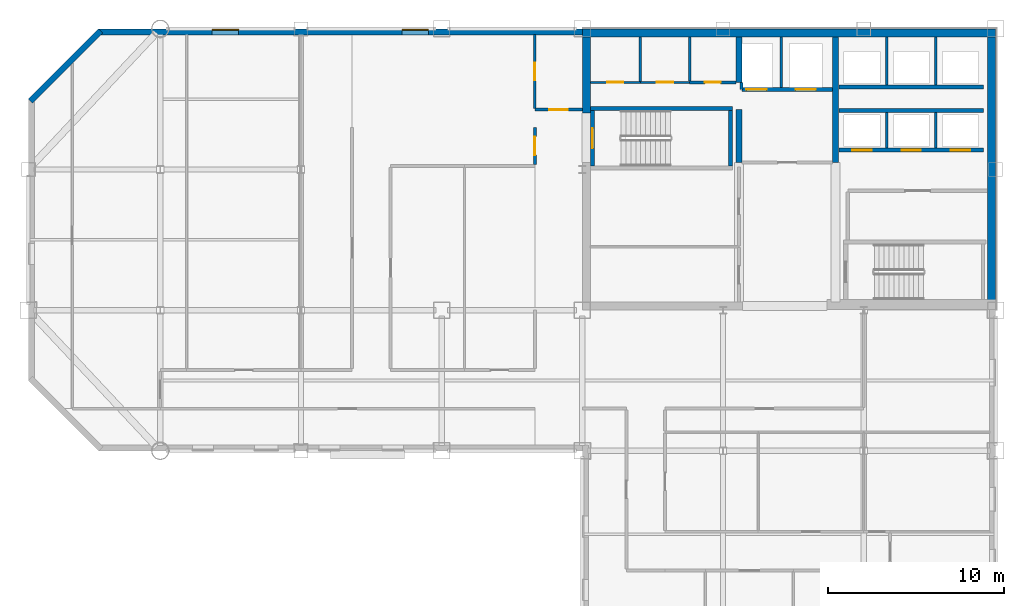
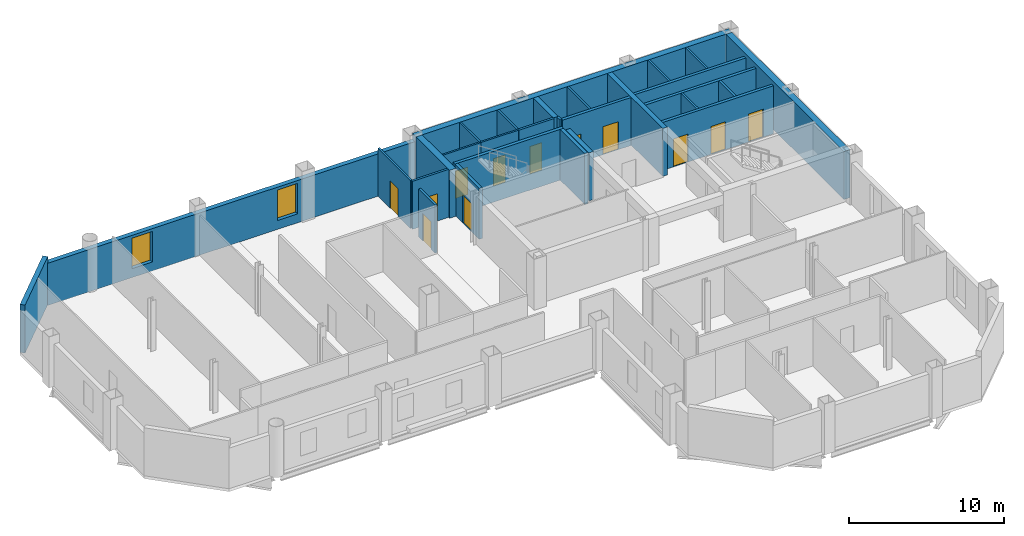
# One storey, part 6 of 9: 29 walls, 12 doors, 2 windows, 14 openings.
"""IFC4 building model written with IfcOpenShell, lengths in metres."""

from ifc_helpers import new_model, si_unit, direction, frame, frame_2d, origin, place, context, subcontext, project, spatial, rectangle, extrude, material, layer, layer_set, type_object, element, fill, save


model = new_model("IFC4")

# Units and contexts
model_context = context("Model", 3, precision=1e-05, world=origin(), true_north=direction((0.0, 1.0)))
body_context = subcontext(model_context, "Body", "Model", "MODEL_VIEW")
ifc_project = project(units=[si_unit("LENGTHUNIT", "METRE"), si_unit("AREAUNIT", "SQUARE_METRE"), si_unit("VOLUMEUNIT", "CUBIC_METRE"), si_unit("PLANEANGLEUNIT", "RADIAN"), si_unit("MASSUNIT", "GRAM", prefix="KILO")], contexts=[model_context])

# Site, building, storey
site_placement = place(None, origin())
site = spatial("IfcSite", under=ifc_project, at=site_placement, CompositionType="ELEMENT")
building_placement = place(site_placement, origin())
building = spatial("IfcBuilding", under=site, at=building_placement, Name="Qianrong Seaharbour Tower", CompositionType="ELEMENT")
storey_placement = place(building_placement, frame((0.0, 0.0, 269.800048828125)))
storey = spatial("IfcBuildingStorey", under=building, at=storey_placement, Name="L65", CompositionType="ELEMENT", Elevation=269.800048828125)

# Walls
ifc_material_1 = material(Name="Concrete C60/75", Category="concrete")
ifc_layer_1 = layer(ifc_material_1, 0.4599609375)
ifc_layer_set_1 = layer_set([ifc_layer_1], Name="Concrete C60/75")
wall_type_1 = type_object("IfcWallType", Name="WALL-CORE-460", PredefinedType="SHEAR", material=ifc_layer_set_1)
wall_1_placement = place(storey_placement, frame((40.5, 51.77001953125, 0.0), z_axis=(0.0, 0.0, 1.0), x_axis=(1.0, 0.0, 0.0)))
element("IfcWall", 1, at=wall_1_placement, inside=storey, type_object=wall_type_1, Name="L65 North Core Shear Wall", PredefinedType="SHEAR", context=body_context, shape_type="SweptSolid", body=[
    extrude(rectangle(XDim=23.5, YDim=0.4599609375, at=frame_2d((11.75, 0.0))), origin(), (0.0, 0.0, 1.0), 3.77490234375),
])
wall_2_placement = place(storey_placement, frame((63.77001953125, 36.320068359375, 0.0), z_axis=(0.0, 0.0, 1.0), x_axis=(0.0, 1.0, 0.0)))
element("IfcWall", 2, at=wall_2_placement, inside=storey, type_object=wall_type_1, Name="L65 East Core Shear Wall", PredefinedType="SHEAR", context=body_context, shape_type="SweptSolid", body=[
    extrude(rectangle(XDim=15.219970703125, YDim=0.4599609375, at=frame_2d((7.60986328125, 0.0))), origin(), (0.0, 0.0, 1.0), 3.77490234375),
])
wall_3_placement = place(storey_placement, frame((40.72998046875, 47.199951171875, 0.0), z_axis=(0.0, 0.0, 1.0), x_axis=(0.0, 1.0, 0.0)))
element("IfcWall", 3, at=wall_3_placement, inside=storey, type_object=wall_type_1, Name="L65 West Core Shear Wall North", PredefinedType="SHEAR", context=body_context, shape_type="SweptSolid", body=[
    extrude(rectangle(XDim=4.340087890625, YDim=0.4599609375, at=frame_2d((2.169921875, 0.0))), origin(), (0.0, 0.0, 1.0), 3.77490234375),
])
ifc_material_2 = material(Name="Concrete C50/60", Category="concrete")
ifc_layer_2 = layer(ifc_material_2, 0.35009765625)
ifc_layer_set_2 = layer_set([ifc_layer_2], Name="Concrete C50/60")
wall_type_2 = type_object("IfcWallType", Name="WALL-CORE-INT-350", PredefinedType="SHEAR", material=ifc_layer_set_2)
wall_4_placement = place(storey_placement, frame((49.39990234375, 44.39990234375, 0.0), z_axis=(0.0, 0.0, 1.0), x_axis=(0.0, 1.0, 0.0)))
element("IfcWall", 4, at=wall_4_placement, inside=storey, type_object=wall_type_2, Name="L65 Internal Core Shear Wall IW1N1", PredefinedType="SHEAR", context=body_context, shape_type="SweptSolid", body=[
    extrude(rectangle(XDim=3.0, YDim=0.35009765625, at=frame_2d((1.5, 0.0))), origin(), (0.0, 0.0, 1.0), 3.77490234375),
])
wall_5_placement = place(storey_placement, frame((49.39990234375, 48.949951171875, 0.0), z_axis=(0.0, 0.0, 1.0), x_axis=(0.0, 1.0, 0.0)))
element("IfcWall", 5, at=wall_5_placement, inside=storey, type_object=wall_type_2, Name="L65 Internal Core Shear Wall IW1N2", PredefinedType="SHEAR", context=body_context, shape_type="SweptSolid", body=[
    extrude(rectangle(XDim=2.590087890625, YDim=0.35009765625, at=frame_2d((1.294921875, 0.0))), origin(), (0.0, 0.0, 1.0), 3.77490234375),
])
wall_6_placement = place(storey_placement, frame((54.89990234375, 44.39990234375, 0.0), z_axis=(0.0, 0.0, 1.0), x_axis=(0.0, 1.0, 0.0)))
element("IfcWall", 6, at=wall_6_placement, inside=storey, type_object=wall_type_2, Name="L65 Internal Core Shear Wall IW2N", PredefinedType="SHEAR", context=body_context, shape_type="SweptSolid", body=[
    extrude(rectangle(XDim=7.14013671875, YDim=0.35009765625, at=frame_2d((3.570068359375, 0.0))), origin(), (0.0, 0.0, 1.0), 3.77490234375),
])

# Wall, opening, door
ifc_material_3 = material(Name="Fire-rated acoustic gypsum board partition")
ifc_layer_3 = layer(ifc_material_3, 0.1650390625)
ifc_layer_set_3 = layer_set([ifc_layer_3], Name="Fire-rated acoustic gypsum board partition")
wall_type_3 = type_object("IfcWallType", Name="WALL-CORR-PART-165", PredefinedType="PARTITIONING", material=ifc_layer_set_3)
wall_7_placement = place(storey_placement, frame((37.800048828125, 47.39990234375, 0.0), z_axis=(0.0, 0.0, 1.0), x_axis=(1.0, 0.0, 0.0)))
wall_7 = element("IfcWall", 7, at=wall_7_placement, inside=storey, type_object=wall_type_3, Name="L65 Interior Partition Wall 001", PredefinedType="PARTITIONING", context=body_context, shape_type="SweptSolid", body=[
    extrude(rectangle(XDim=2.699951171875, YDim=0.1650390625, at=frame_2d((1.35009765625, 0.0))), origin(), (0.0, 0.0, 1.0), 3.77490234375),
])
opening_1_placement = place(wall_7_placement, frame((0.824951171875, 0.0, 0.0)))
opening_1 = element("IfcOpeningElement", 8, at=opening_1_placement, cuts=wall_7, Name="Opening DC-01", PredefinedType="OPENING", context=body_context, shape_type="SweptSolid", body=[
    extrude(rectangle(XDim=1.050048828125, YDim=2.14990234375, at=frame_2d((0.52490234375, 1.074951171875))), frame((0.0, 0.092529296875, 0.0), z_axis=(0.0, -1.0, 0.0), x_axis=(1.0, 0.0, 0.0)), (0.0, 0.0, 1.0), 0.18505859375),
])
ifc_material_4 = material(Name="Acoustic timber and galvanized steel fire door assembly", Category="steel")
door_type_1 = type_object("IfcDoorType", Name="DOOR-CORR-FD60-1050x2150", OperationType="NOTDEFINED", PredefinedType="DOOR", material=ifc_material_4)
door_1_placement = place(opening_1_placement, origin())
door_1 = element("IfcDoor", 9, at=door_1_placement, inside=storey, type_object=door_type_1, Name="L65 Smokeproof Stair Vestibule ST-1 Door", OperationType="SINGLE_SWING_RIGHT", OverallHeight=2.14990234375, OverallWidth=1.050048828125, PredefinedType="DOOR", context=body_context, shape_type="SweptSolid", body=[
    extrude(rectangle(XDim=1.050048828125, YDim=2.14990234375, at=frame_2d((0.52490234375, 1.074951171875))), frame((0.0, 0.02490234375, 0.0), z_axis=(0.0, -1.0, 0.0), x_axis=(1.0, 0.0, 0.0)), (0.0, 0.0, 1.0), 0.050048828125),
])
fill(opening_1, door_1)

wall_8_placement = place(storey_placement, frame((37.800048828125, 44.2744140625, 0.0), z_axis=(0.0, 0.0, 1.0), x_axis=(0.0, 1.0, 0.0)))
wall_8 = element("IfcWall", 10, at=wall_8_placement, inside=storey, type_object=wall_type_3, Name="L65 Interior Partition Wall 002", PredefinedType="PARTITIONING", context=body_context, shape_type="SweptSolid", body=[
    extrude(rectangle(XDim=2.12548828125, YDim=0.1650390625, at=frame_2d((1.062744140625, 0.0))), origin(), (0.0, 0.0, 1.0), 3.77490234375),
])
opening_2_placement = place(wall_8_placement, frame((0.537841796875, 0.0, 0.0)))
opening_2 = element("IfcOpeningElement", 11, at=opening_2_placement, cuts=wall_8, Name="Opening DC-01", PredefinedType="OPENING", context=body_context, shape_type="SweptSolid", body=[
    extrude(rectangle(XDim=1.050048828125, YDim=2.14990234375, at=frame_2d((0.52490234375, 1.074951171875))), frame((0.0, 0.092529296875, 0.0), z_axis=(0.0, -1.0, 0.0), x_axis=(1.0, 0.0, 0.0)), (0.0, 0.0, 1.0), 0.18505859375),
])
door_2_placement = place(opening_2_placement, origin())
door_2 = element("IfcDoor", 12, at=door_2_placement, inside=storey, type_object=door_type_1, Name="L65 Smokeproof Stair Vestibule ST-1 Door", OperationType="SINGLE_SWING_LEFT", OverallHeight=2.14990234375, OverallWidth=1.050048828125, PredefinedType="DOOR", context=body_context, shape_type="SweptSolid", body=[
    extrude(rectangle(XDim=1.050048828125, YDim=2.14990234375, at=frame_2d((0.52490234375, 1.074951171875))), frame((0.0, 0.02490234375, 0.0), z_axis=(0.0, -1.0, 0.0), x_axis=(1.0, 0.0, 0.0)), (0.0, 0.0, 1.0), 0.050048828125),
])
fill(opening_2, door_2)

wall_9_placement = place(storey_placement, frame((46.60009765625, 48.949951171875, 0.0), z_axis=(0.0, 0.0, 1.0), x_axis=(1.0, 0.0, 0.0)))
wall_9 = element("IfcWall", 13, at=wall_9_placement, inside=storey, type_object=wall_type_3, Name="L65 Interior Partition Wall 006", PredefinedType="PARTITIONING", context=body_context, shape_type="SweptSolid", body=[
    extrude(rectangle(XDim=2.6328125, YDim=0.1650390625, at=frame_2d((1.31640625, 0.0))), origin(), (0.0, 0.0, 1.0), 3.77490234375),
])
opening_3_placement = place(wall_9_placement, frame((0.866455078125, 0.0, 0.0)))
opening_3 = element("IfcOpeningElement", 14, at=opening_3_placement, cuts=wall_9, Name="Opening DS-01", PredefinedType="OPENING", context=body_context, shape_type="SweptSolid", body=[
    extrude(rectangle(XDim=0.89990234375, YDim=2.14990234375, at=frame_2d((0.449951171875, 1.074951171875))), frame((0.0, 0.092529296875, 0.0), z_axis=(0.0, -1.0, 0.0), x_axis=(1.0, 0.0, 0.0)), (0.0, 0.0, 1.0), 0.18505859375),
])
door_type_2 = type_object("IfcDoorType", Name="DOOR-STORE-900x2150", OperationType="NOTDEFINED", PredefinedType="DOOR", material=ifc_material_4)
door_3_placement = place(opening_3_placement, origin())
door_3 = element("IfcDoor", 15, at=door_3_placement, inside=storey, type_object=door_type_2, Name="L65 Cleaner Store Room Door", OperationType="SINGLE_SWING_RIGHT", OverallHeight=2.14990234375, OverallWidth=0.89990234375, PredefinedType="DOOR", context=body_context, shape_type="SweptSolid", body=[
    extrude(rectangle(XDim=0.89990234375, YDim=2.14990234375, at=frame_2d((0.449951171875, 1.074951171875))), frame((0.0, 0.02490234375, 0.0), z_axis=(0.0, -1.0, 0.0), x_axis=(1.0, 0.0, 0.0)), (0.0, 0.0, 1.0), 0.050048828125),
])
fill(opening_3, door_3)

# Wall
ifc_material_5 = material(Name="Unitised buff brick on Precast concrete C45/55", Category="masonry")
ifc_layer_4 = layer(ifc_material_5, 0.340087890625)
ifc_layer_set_4 = layer_set([ifc_layer_4], Name="Unitised buff brick on Precast concrete C45/55")
wall_type_4 = type_object("IfcWallType", Name="WALL-EXT-BRICK-BUFF-340", PredefinedType="SOLIDWALL", material=ifc_layer_set_4)
wall_10_placement = place(storey_placement, frame((9.1201171875, 47.8798828125, 0.0), z_axis=(0.0, 0.0, 1.0), x_axis=(0.707106781187, 0.707106781187, 0.0)))
element("IfcWall", 16, at=wall_10_placement, inside=storey, type_object=wall_type_4, Name="L65 Exterior Masonry Facade Wall E04", PredefinedType="SOLIDWALL", context=body_context, shape_type="SweptSolid", body=[
    extrude(rectangle(XDim=5.65673828125, YDim=0.340087890625, at=frame_2d((2.828369140625, 0.0))), origin(), (0.0, 0.0, 1.0), 3.77490234375),
])

# Wall, openings, windows
wall_11_placement = place(storey_placement, frame((13.0, 51.830078125, 0.0), z_axis=(0.0, 0.0, 1.0), x_axis=(1.0, 0.0, 0.0)))
wall_11 = element("IfcWall", 17, at=wall_11_placement, inside=storey, type_object=wall_type_4, Name="L65 Exterior Masonry Facade Wall NORTH_WING", PredefinedType="SOLIDWALL", context=body_context, shape_type="SweptSolid", body=[
    extrude(rectangle(XDim=27.52001953125, YDim=0.340087890625, at=frame_2d((13.760009765625, 0.0))), origin(), (0.0, 0.0, 1.0), 3.324951171875),
])
opening_4_placement = place(wall_11_placement, frame((6.449951171875, 0.0, 0.699951171875)))
opening_4 = element("IfcOpeningElement", 18, at=opening_4_placement, cuts=wall_11, Name="Opening WN-08", PredefinedType="OPENING", context=body_context, shape_type="SweptSolid", body=[
    extrude(rectangle(XDim=1.5, YDim=2.39990234375, at=frame_2d((0.75, 1.199951171875))), frame((0.0, 0.18017578125, 0.0), z_axis=(0.0, -1.0, 0.0), x_axis=(1.0, 0.0, 0.0)), (0.0, 0.0, 1.0), 0.360107421875),
])
opening_5_placement = place(wall_11_placement, frame((17.25, 0.0, 0.699951171875)))
opening_5 = element("IfcOpeningElement", 19, at=opening_5_placement, cuts=wall_11, Name="Opening WN-08", PredefinedType="OPENING", context=body_context, shape_type="SweptSolid", body=[
    extrude(rectangle(XDim=1.5, YDim=2.39990234375, at=frame_2d((0.75, 1.199951171875))), frame((0.0, 0.18017578125, 0.0), z_axis=(0.0, -1.0, 0.0), x_axis=(1.0, 0.0, 0.0)), (0.0, 0.0, 1.0), 0.360107421875),
])
ifc_material_6 = material(Name="Insulated low-e double glazing in thermally broken aluminium 6063-T6 frame", Category="aluminium")
window_type = type_object("IfcWindowType", Name="WIN-PUNCH-1500x2400", PartitioningType="DOUBLE_PANEL_HORIZONTAL", PredefinedType="WINDOW", material=ifc_material_6)
window_1_placement = place(opening_4_placement, origin())
window_1 = element("IfcWindow", 20, at=window_1_placement, inside=storey, type_object=window_type, Name="L65 Deep-Set Punched Window 05.02", OverallHeight=2.39990234375, OverallWidth=1.5, PartitioningType="DOUBLE_PANEL_HORIZONTAL", PredefinedType="WINDOW", context=body_context, shape_type="SweptSolid", body=[
    extrude(rectangle(XDim=1.5, YDim=2.39990234375, at=frame_2d((0.75, 1.199951171875))), frame((0.0, 0.150146484375, 0.0), z_axis=(0.0, -1.0, 0.0), x_axis=(1.0, 0.0, 0.0)), (0.0, 0.0, 1.0), 0.06005859375),
])
fill(opening_4, window_1)
window_2_placement = place(opening_5_placement, origin())
window_2 = element("IfcWindow", 21, at=window_2_placement, inside=storey, type_object=window_type, Name="L65 Deep-Set Punched Window 05.05", OverallHeight=2.39990234375, OverallWidth=1.5, PartitioningType="DOUBLE_PANEL_HORIZONTAL", PredefinedType="WINDOW", context=body_context, shape_type="SweptSolid", body=[
    extrude(rectangle(XDim=1.5, YDim=2.39990234375, at=frame_2d((0.75, 1.199951171875))), frame((0.0, 0.150146484375, 0.0), z_axis=(0.0, -1.0, 0.0), x_axis=(1.0, 0.0, 0.0)), (0.0, 0.0, 1.0), 0.06005859375),
])
fill(opening_5, window_2)

# Walls
ifc_material_7 = material(Name="Fire-rated gypsum board on steel studs", Category="steel")
ifc_layer_5 = layer(ifc_material_7, 0.14990234375)
ifc_layer_set_5 = layer_set([ifc_layer_5], Name="Fire-rated gypsum board on steel studs")
wall_type_5 = type_object("IfcWallType", Name="WALL-SHAFT-DIV-150", PredefinedType="PARTITIONING", material=ifc_layer_set_5)
wall_12_placement = place(storey_placement, frame((51.800048828125, 48.669921875, 0.0), z_axis=(0.0, 0.0, 1.0), x_axis=(0.0, 1.0, 0.0)))
element("IfcWall", 22, at=wall_12_placement, inside=storey, type_object=wall_type_5, Name="L65 Firefighting Lift Shaft Divider Wall", PredefinedType="PARTITIONING", context=body_context, shape_type="SweptSolid", body=[
    extrude(rectangle(XDim=2.8701171875, YDim=0.14990234375, at=frame_2d((1.43505859375, 0.0))), origin(), (0.0, 0.0, 1.0), 3.77490234375),
])
wall_13_placement = place(storey_placement, frame((49.550048828125, 48.550048828125, 0.0), z_axis=(0.0, 0.0, 1.0), x_axis=(0.0, 1.0, 0.0)))
element("IfcWall", 23, at=wall_13_placement, inside=storey, type_object=wall_type_5, Name="L65 Firefighting Lift Shaft West Return Wall", PredefinedType="PARTITIONING", context=body_context, shape_type="SweptSolid", body=[
    extrude(rectangle(XDim=0.39990234375, YDim=0.14990234375, at=frame_2d((0.199951171875, 0.0))), origin(), (0.0, 0.0, 1.0), 3.77490234375),
])
for number, where, z_axis, x_axis, name in (
    (24, (57.800048828125, 45.2099609375, 0.0), (0.0, 0.0, 1.0), (0.0, 1.0, 0.0), "L65 P3 Lift Hoistway Divider 2"),
    (25, (60.60009765625, 45.2099609375, 0.0), (0.0, 0.0, 1.0), (0.0, 1.0, 0.0), "L65 P3 Lift Hoistway Divider 3"),
):
    element("IfcWall", number, at=place(storey_placement, frame(where, z_axis=z_axis, x_axis=x_axis)), inside=storey, type_object=wall_type_5, Name=name, PredefinedType="PARTITIONING", context=body_context, shape_type="SweptSolid", body=[
        extrude(rectangle(XDim=2.030029296875, YDim=0.14990234375, at=frame_2d((1.01513671875, 0.0))), origin(), (0.0, 0.0, 1.0), 3.77490234375),
    ])
for number, where, z_axis, x_axis, name in (
    (26, (57.800048828125, 48.81005859375, 0.0), (0.0, 0.0, 1.0), (0.0, 1.0, 0.0), "L65 P4 Lift Hoistway Divider 2"),
    (27, (60.60009765625, 48.81005859375, 0.0), (0.0, 0.0, 1.0), (0.0, 1.0, 0.0), "L65 P4 Lift Hoistway Divider 3"),
):
    element("IfcWall", number, at=place(storey_placement, frame(where, z_axis=z_axis, x_axis=x_axis)), inside=storey, type_object=wall_type_5, Name=name, PredefinedType="PARTITIONING", context=body_context, shape_type="SweptSolid", body=[
        extrude(rectangle(XDim=2.72998046875, YDim=0.14990234375, at=frame_2d((1.364990234375, 0.0))), origin(), (0.0, 0.0, 1.0), 3.77490234375),
    ])

# Wall, openings, doors
ifc_layer_6 = layer(ifc_material_7, 0.219970703125)
ifc_layer_set_6 = layer_set([ifc_layer_6], Name="Fire-rated gypsum board on steel studs")
wall_type_6 = type_object("IfcWallType", Name="WALL-SHAFT-GYP220", PredefinedType="PARTITIONING", material=ifc_layer_set_6)
wall_14_placement = place(storey_placement, frame((54.7099609375, 48.550048828125, 0.0), z_axis=(0.0, 0.0, 1.0), x_axis=(-1.0, 0.0, 0.0)))
wall_14 = element("IfcWall", 28, at=wall_14_placement, inside=storey, type_object=wall_type_6, Name="L65 Firefighting Lift Shaft Front Wall", PredefinedType="PARTITIONING", context=body_context, shape_type="SweptSolid", body=[
    extrude(rectangle(XDim=5.119873046875, YDim=0.219970703125, at=frame_2d((2.56005859375, 0.0))), origin(), (0.0, 0.0, 1.0), 3.77490234375),
])
opening_6_placement = place(wall_14_placement, frame((3.735107421875, 0.0, 0.0)))
opening_6 = element("IfcOpeningElement", 29, at=opening_6_placement, cuts=wall_14, Name="Opening LD-01", PredefinedType="OPENING", context=body_context, shape_type="SweptSolid", body=[
    extrude(rectangle(XDim=1.14990234375, YDim=2.199951171875, at=frame_2d((0.574951171875, 1.10009765625))), frame((0.0, 0.1201171875, 0.0), z_axis=(0.0, -1.0, 0.0), x_axis=(1.0, 0.0, 0.0)), (0.0, 0.0, 1.0), 0.239990234375),
])
opening_7_placement = place(wall_14_placement, frame((0.93505859375, 0.0, 0.0)))
opening_7 = element("IfcOpeningElement", 30, at=opening_7_placement, cuts=wall_14, Name="Opening LD-01", PredefinedType="OPENING", context=body_context, shape_type="SweptSolid", body=[
    extrude(rectangle(XDim=1.14990234375, YDim=2.199951171875, at=frame_2d((0.574951171875, 1.10009765625))), frame((0.0, 0.1201171875, 0.0), z_axis=(0.0, -1.0, 0.0), x_axis=(1.0, 0.0, 0.0)), (0.0, 0.0, 1.0), 0.239990234375),
])
ifc_material_8 = material(Name="Stainless steel SUS316L bi-parting lift landing door", Category="steel")
door_type_3 = type_object("IfcDoorType", Name="DOOR-LIFT-FF-1150x2200", OperationType="DOUBLE_DOOR_SLIDING", PredefinedType="DOOR", material=ifc_material_8)
door_4_placement = place(opening_6_placement, origin())
door_4 = element("IfcDoor", 31, at=door_4_placement, inside=storey, type_object=door_type_3, Name="L65 FL-1 Firefighting Lift Landing Door", OperationType="DOUBLE_DOOR_SLIDING", OverallHeight=2.199951171875, OverallWidth=1.14990234375, PredefinedType="DOOR", context=body_context, shape_type="SweptSolid", body=[
    extrude(rectangle(XDim=1.14990234375, YDim=2.199951171875, at=frame_2d((0.574951171875, 1.10009765625))), frame((0.0, 0.02490234375, 0.0), z_axis=(0.0, -1.0, 0.0), x_axis=(1.0, 0.0, 0.0)), (0.0, 0.0, 1.0), 0.050048828125),
])
fill(opening_6, door_4)
door_5_placement = place(opening_7_placement, origin())
door_5 = element("IfcDoor", 32, at=door_5_placement, inside=storey, type_object=door_type_3, Name="L65 FL-2 Firefighting Lift Landing Door", OperationType="DOUBLE_DOOR_SLIDING", OverallHeight=2.199951171875, OverallWidth=1.14990234375, PredefinedType="DOOR", context=body_context, shape_type="SweptSolid", body=[
    extrude(rectangle(XDim=1.14990234375, YDim=2.199951171875, at=frame_2d((0.574951171875, 1.10009765625))), frame((0.0, 0.02490234375, 0.0), z_axis=(0.0, -1.0, 0.0), x_axis=(1.0, 0.0, 0.0)), (0.0, 0.0, 1.0), 0.050048828125),
])
fill(opening_7, door_5)

wall_15_placement = place(storey_placement, frame((63.320068359375, 45.10009765625, 0.0), z_axis=(0.0, 0.0, 1.0), x_axis=(-1.0, 0.0, 0.0)))
wall_15 = element("IfcWall", 33, at=wall_15_placement, inside=storey, type_object=wall_type_6, Name="L65 P3 Lift Hoistway Front Wall", PredefinedType="PARTITIONING", context=body_context, shape_type="SweptSolid", body=[
    extrude(rectangle(XDim=8.239990234375, YDim=0.219970703125, at=frame_2d((4.1201171875, 0.0))), origin(), (0.0, 0.0, 1.0), 3.77490234375),
])
opening_8_placement = place(wall_15_placement, frame((6.3701171875, 0.0, 0.0)))
opening_8 = element("IfcOpeningElement", 34, at=opening_8_placement, cuts=wall_15, Name="Opening LD-02", PredefinedType="OPENING", context=body_context, shape_type="SweptSolid", body=[
    extrude(rectangle(XDim=1.10009765625, YDim=2.199951171875, at=frame_2d((0.550048828125, 1.10009765625))), frame((0.0, 0.1201171875, 0.0), z_axis=(0.0, -1.0, 0.0), x_axis=(1.0, 0.0, 0.0)), (0.0, 0.0, 1.0), 0.239990234375),
])
opening_9_placement = place(wall_15_placement, frame((3.570068359375, 0.0, 0.0)))
opening_9 = element("IfcOpeningElement", 35, at=opening_9_placement, cuts=wall_15, Name="Opening LD-02", PredefinedType="OPENING", context=body_context, shape_type="SweptSolid", body=[
    extrude(rectangle(XDim=1.10009765625, YDim=2.199951171875, at=frame_2d((0.550048828125, 1.10009765625))), frame((0.0, 0.1201171875, 0.0), z_axis=(0.0, -1.0, 0.0), x_axis=(1.0, 0.0, 0.0)), (0.0, 0.0, 1.0), 0.239990234375),
])
opening_10_placement = place(wall_15_placement, frame((0.77001953125, 0.0, 0.0)))
opening_10 = element("IfcOpeningElement", 36, at=opening_10_placement, cuts=wall_15, Name="Opening LD-02", PredefinedType="OPENING", context=body_context, shape_type="SweptSolid", body=[
    extrude(rectangle(XDim=1.10009765625, YDim=2.199951171875, at=frame_2d((0.550048828125, 1.10009765625))), frame((0.0, 0.1201171875, 0.0), z_axis=(0.0, -1.0, 0.0), x_axis=(1.0, 0.0, 0.0)), (0.0, 0.0, 1.0), 0.239990234375),
])
door_type_4 = type_object("IfcDoorType", Name="DOOR-LIFT-PASS-1100x2200", OperationType="DOUBLE_DOOR_SLIDING", PredefinedType="DOOR", material=ifc_material_8)
door_6_placement = place(opening_8_placement, origin())
door_6 = element("IfcDoor", 37, at=door_6_placement, inside=storey, type_object=door_type_4, Name="L65 PL-3A Lift Landing Door", OperationType="DOUBLE_DOOR_SLIDING", OverallHeight=2.199951171875, OverallWidth=1.10009765625, PredefinedType="DOOR", context=body_context, shape_type="SweptSolid", body=[
    extrude(rectangle(XDim=1.10009765625, YDim=2.199951171875, at=frame_2d((0.550048828125, 1.10009765625))), frame((0.0, 0.02490234375, 0.0), z_axis=(0.0, -1.0, 0.0), x_axis=(1.0, 0.0, 0.0)), (0.0, 0.0, 1.0), 0.050048828125),
])
fill(opening_8, door_6)
door_7_placement = place(opening_9_placement, origin())
door_7 = element("IfcDoor", 38, at=door_7_placement, inside=storey, type_object=door_type_4, Name="L65 PL-3B Lift Landing Door", OperationType="DOUBLE_DOOR_SLIDING", OverallHeight=2.199951171875, OverallWidth=1.10009765625, PredefinedType="DOOR", context=body_context, shape_type="SweptSolid", body=[
    extrude(rectangle(XDim=1.10009765625, YDim=2.199951171875, at=frame_2d((0.550048828125, 1.10009765625))), frame((0.0, 0.02490234375, 0.0), z_axis=(0.0, -1.0, 0.0), x_axis=(1.0, 0.0, 0.0)), (0.0, 0.0, 1.0), 0.050048828125),
])
fill(opening_9, door_7)
door_8_placement = place(opening_10_placement, origin())
door_8 = element("IfcDoor", 39, at=door_8_placement, inside=storey, type_object=door_type_4, Name="L65 PL-3C Lift Landing Door", OperationType="DOUBLE_DOOR_SLIDING", OverallHeight=2.199951171875, OverallWidth=1.10009765625, PredefinedType="DOOR", context=body_context, shape_type="SweptSolid", body=[
    extrude(rectangle(XDim=1.10009765625, YDim=2.199951171875, at=frame_2d((0.550048828125, 1.10009765625))), frame((0.0, 0.02490234375, 0.0), z_axis=(0.0, -1.0, 0.0), x_axis=(1.0, 0.0, 0.0)), (0.0, 0.0, 1.0), 0.050048828125),
])
fill(opening_10, door_8)

# Walls
for number, where, z_axis, x_axis, name in (
    (40, (55.080078125, 47.35009765625, 0.0), (0.0, 0.0, 1.0), (1.0, 0.0, 0.0), "L65 P3 Lift Hoistway Back Wall"),
    (41, (63.320068359375, 48.699951171875, 0.0), (0.0, 0.0, 1.0), (-1.0, 0.0, 0.0), "L65 P4 Lift Hoistway Front Wall"),
):
    element("IfcWall", number, at=place(storey_placement, frame(where, z_axis=z_axis, x_axis=x_axis)), inside=storey, type_object=wall_type_6, Name=name, PredefinedType="PARTITIONING", context=body_context, shape_type="SweptSolid", body=[
        extrude(rectangle(XDim=8.239990234375, YDim=0.219970703125, at=frame_2d((4.1201171875, 0.0))), origin(), (0.0, 0.0, 1.0), 3.77490234375),
    ])
ifc_layer_7 = layer(ifc_material_2, 0.239990234375)
ifc_layer_set_7 = layer_set([ifc_layer_7], Name="Concrete C50/60")
wall_type_7 = type_object("IfcWallType", Name="WALL-SHAFT-RC240", PredefinedType="SOLIDWALL", material=ifc_layer_set_7)
wall_16_placement = place(storey_placement, frame((40.9599609375, 47.469970703125, 0.0), z_axis=(0.0, 0.0, 1.0), x_axis=(1.0, 0.0, 0.0)))
element("IfcWall", 42, at=wall_16_placement, inside=storey, type_object=wall_type_7, Name="L65 ST-1 Structural Stair Core Wall N", PredefinedType="SOLIDWALL", context=body_context, shape_type="SweptSolid", body=[
    extrude(rectangle(XDim=8.080078125, YDim=0.239990234375, at=frame_2d((4.0400390625, 0.0))), origin(), (0.0, 0.0, 1.0), 4.0),
])

# Wall, opening, door
wall_17_placement = place(storey_placement, frame((41.080078125, 47.35009765625, 0.0), z_axis=(0.0, 0.0, 1.0), x_axis=(0.0, -1.0, 0.0)))
wall_17 = element("IfcWall", 43, at=wall_17_placement, inside=storey, type_object=wall_type_7, Name="L65 ST-1 Structural Stair Core Wall W", PredefinedType="SOLIDWALL", context=body_context, shape_type="SweptSolid", body=[
    extrude(rectangle(XDim=3.150146484375, YDim=0.239990234375, at=frame_2d((1.5751953125, 0.0))), origin(), (0.0, 0.0, 1.0), 4.0),
])
opening_11_placement = place(wall_17_placement, frame((1.0, 0.0, 0.0)))
opening_11 = element("IfcOpeningElement", 44, at=opening_11_placement, cuts=wall_17, Name="Opening SD-01", PredefinedType="OPENING", context=body_context, shape_type="SweptSolid", body=[
    extrude(rectangle(XDim=1.14990234375, YDim=2.199951171875, at=frame_2d((0.574951171875, 1.10009765625))), frame((0.0, 0.1298828125, 0.0), z_axis=(0.0, -1.0, 0.0), x_axis=(1.0, 0.0, 0.0)), (0.0, 0.0, 1.0), 0.260009765625),
])
door_type_5 = type_object("IfcDoorType", Name="DOOR-STAIR-FD60-1150x2200", OperationType="NOTDEFINED", PredefinedType="DOOR", material=ifc_material_4)
door_9_placement = place(opening_11_placement, origin())
door_9 = element("IfcDoor", 45, at=door_9_placement, inside=storey, type_object=door_type_5, Name="L65 ST-1 Protected Stair Door", OperationType="SINGLE_SWING_RIGHT", OverallHeight=2.199951171875, OverallWidth=1.14990234375, PredefinedType="DOOR", context=body_context, shape_type="SweptSolid", body=[
    extrude(rectangle(XDim=1.14990234375, YDim=2.199951171875, at=frame_2d((0.574951171875, 1.10009765625))), frame((0.0, 0.02490234375, 0.0), z_axis=(0.0, -1.0, 0.0), x_axis=(1.0, 0.0, 0.0)), (0.0, 0.0, 1.0), 0.050048828125),
])
fill(opening_11, door_9)

# Wall
wall_18_placement = place(storey_placement, frame((48.919921875, 44.199951171875, 0.0), z_axis=(0.0, 0.0, 1.0), x_axis=(0.0, 1.0, 0.0)))
element("IfcWall", 46, at=wall_18_placement, inside=storey, type_object=wall_type_7, Name="L65 ST-1 Structural Stair Core Wall E", PredefinedType="SOLIDWALL", context=body_context, shape_type="SweptSolid", body=[
    extrude(rectangle(XDim=3.150146484375, YDim=0.239990234375, at=frame_2d((1.5751953125, 0.0))), origin(), (0.0, 0.0, 1.0), 4.0),
])

# Wall, opening, door
ifc_material_9 = material(Name="Water-resistant cement board sanitary partition")
ifc_layer_8 = layer(ifc_material_9, 0.1298828125)
ifc_layer_set_8 = layer_set([ifc_layer_8], Name="Water-resistant cement board sanitary partition")
wall_type_8 = type_object("IfcWallType", Name="WALL-WET-PART-130", PredefinedType="PARTITIONING", material=ifc_layer_set_8)
wall_19_placement = place(storey_placement, frame((37.800048828125, 47.474609375, 0.0), z_axis=(0.0, 0.0, 1.0), x_axis=(0.0, 1.0, 0.0)))
wall_19 = element("IfcWall", 47, at=wall_19_placement, inside=storey, type_object=wall_type_8, Name="L65 Interior Partition Wall 003", PredefinedType="PARTITIONING", context=body_context, shape_type="SweptSolid", body=[
    extrude(rectangle(XDim=4.193359375, YDim=0.1298828125, at=frame_2d((2.0966796875, 0.0))), origin(), (0.0, 0.0, 1.0), 3.77490234375),
])
opening_12_placement = place(wall_19_placement, frame((1.5869140625, 0.0, 0.0)))
opening_12 = element("IfcOpeningElement", 48, at=opening_12_placement, cuts=wall_19, Name="Opening DAW-01", PredefinedType="OPENING", context=body_context, shape_type="SweptSolid", body=[
    extrude(rectangle(XDim=1.02001953125, YDim=2.14990234375, at=frame_2d((0.510009765625, 1.074951171875))), frame((0.0, 0.074951171875, 0.0), z_axis=(0.0, -1.0, 0.0), x_axis=(1.0, 0.0, 0.0)), (0.0, 0.0, 1.0), 0.14990234375),
])
door_type_6 = type_object("IfcDoorType", Name="DOOR-AWC-SLIDE-1020x2150", OperationType="SLIDING_TO_LEFT", PredefinedType="DOOR", material=ifc_material_4)
door_10_placement = place(opening_12_placement, origin())
door_10 = element("IfcDoor", 49, at=door_10_placement, inside=storey, type_object=door_type_6, Name="L65 Accessible Restroom WC Door", OperationType="SLIDING_TO_LEFT", OverallHeight=2.14990234375, OverallWidth=1.02001953125, PredefinedType="DOOR", context=body_context, shape_type="SweptSolid", body=[
    extrude(rectangle(XDim=1.02001953125, YDim=2.14990234375, at=frame_2d((0.510009765625, 1.074951171875))), frame((0.0, 0.02490234375, 0.0), z_axis=(0.0, -1.0, 0.0), x_axis=(1.0, 0.0, 0.0)), (0.0, 0.0, 1.0), 0.050048828125),
])
fill(opening_12, door_10)

wall_20_placement = place(storey_placement, frame((40.9599609375, 48.949951171875, 0.0), z_axis=(0.0, 0.0, 1.0), x_axis=(1.0, 0.0, 0.0)))
wall_20 = element("IfcWall", 50, at=wall_20_placement, inside=storey, type_object=wall_type_8, Name="L65 Interior Partition Wall 004", PredefinedType="PARTITIONING", context=body_context, shape_type="SweptSolid", body=[
    extrude(rectangle(XDim=2.840087890625, YDim=0.1298828125, at=frame_2d((1.419921875, 0.0))), origin(), (0.0, 0.0, 1.0), 3.77490234375),
])
opening_13_placement = place(wall_20_placement, frame((0.9599609375, 0.0, 0.0)))
opening_13 = element("IfcOpeningElement", 51, at=opening_13_placement, cuts=wall_20, Name="Opening DW-01", PredefinedType="OPENING", context=body_context, shape_type="SweptSolid", body=[
    extrude(rectangle(XDim=0.919921875, YDim=2.14990234375, at=frame_2d((0.4599609375, 1.074951171875))), frame((0.0, 0.074951171875, 0.0), z_axis=(0.0, -1.0, 0.0), x_axis=(1.0, 0.0, 0.0)), (0.0, 0.0, 1.0), 0.14990234375),
])
door_type_7 = type_object("IfcDoorType", Name="DOOR-WC-920x2150", OperationType="NOTDEFINED", PredefinedType="DOOR", material=ifc_material_4)
door_11_placement = place(opening_13_placement, origin())
door_11 = element("IfcDoor", 52, at=door_11_placement, inside=storey, type_object=door_type_7, Name="L65 Male Restroom WC Door", OperationType="SINGLE_SWING_RIGHT", OverallHeight=2.14990234375, OverallWidth=0.919921875, PredefinedType="DOOR", context=body_context, shape_type="SweptSolid", body=[
    extrude(rectangle(XDim=0.919921875, YDim=2.14990234375, at=frame_2d((0.4599609375, 1.074951171875))), frame((0.0, 0.02490234375, 0.0), z_axis=(0.0, -1.0, 0.0), x_axis=(1.0, 0.0, 0.0)), (0.0, 0.0, 1.0), 0.050048828125),
])
fill(opening_13, door_11)

wall_21_placement = place(storey_placement, frame((43.800048828125, 48.949951171875, 0.0), z_axis=(0.0, 0.0, 1.0), x_axis=(1.0, 0.0, 0.0)))
wall_21 = element("IfcWall", 53, at=wall_21_placement, inside=storey, type_object=wall_type_8, Name="L65 Interior Partition Wall 005", PredefinedType="PARTITIONING", context=body_context, shape_type="SweptSolid", body=[
    extrude(rectangle(XDim=2.800048828125, YDim=0.1298828125, at=frame_2d((1.39990234375, 0.0))), origin(), (0.0, 0.0, 1.0), 3.77490234375),
])
opening_14_placement = place(wall_21_placement, frame((0.93994140625, 0.0, 0.0)))
opening_14 = element("IfcOpeningElement", 54, at=opening_14_placement, cuts=wall_21, Name="Opening DW-01", PredefinedType="OPENING", context=body_context, shape_type="SweptSolid", body=[
    extrude(rectangle(XDim=0.919921875, YDim=2.14990234375, at=frame_2d((0.4599609375, 1.074951171875))), frame((0.0, 0.074951171875, 0.0), z_axis=(0.0, -1.0, 0.0), x_axis=(1.0, 0.0, 0.0)), (0.0, 0.0, 1.0), 0.14990234375),
])
door_12_placement = place(opening_14_placement, origin())
door_12 = element("IfcDoor", 55, at=door_12_placement, inside=storey, type_object=door_type_7, Name="L65 Female Restroom WC Door", OperationType="SINGLE_SWING_LEFT", OverallHeight=2.14990234375, OverallWidth=0.919921875, PredefinedType="DOOR", context=body_context, shape_type="SweptSolid", body=[
    extrude(rectangle(XDim=0.919921875, YDim=2.14990234375, at=frame_2d((0.4599609375, 1.074951171875))), frame((0.0, 0.02490234375, 0.0), z_axis=(0.0, -1.0, 0.0), x_axis=(1.0, 0.0, 0.0)), (0.0, 0.0, 1.0), 0.050048828125),
])
fill(opening_14, door_12)

# Walls
wall_22_placement = place(storey_placement, frame((43.800048828125, 51.5400390625, 0.0), z_axis=(0.0, 0.0, 1.0), x_axis=(0.0, -1.0, 0.0)))
element("IfcWall", 56, at=wall_22_placement, inside=storey, type_object=wall_type_8, Name="L65 Interior Partition Wall 013", PredefinedType="PARTITIONING", context=body_context, shape_type="SweptSolid", body=[
    extrude(rectangle(XDim=2.532958984375, YDim=0.1298828125, at=frame_2d((1.2666015625, 0.0))), origin(), (0.0, 0.0, 1.0), 3.77490234375),
])
wall_23_placement = place(storey_placement, frame((46.60009765625, 51.5400390625, 0.0), z_axis=(0.0, 0.0, 1.0), x_axis=(0.0, -1.0, 0.0)))
element("IfcWall", 57, at=wall_23_placement, inside=storey, type_object=wall_type_8, Name="L65 Interior Partition Wall 014", PredefinedType="PARTITIONING", context=body_context, shape_type="SweptSolid", body=[
    extrude(rectangle(XDim=2.515625, YDim=0.1298828125, at=frame_2d((1.2578125, 0.0))), origin(), (0.0, 0.0, 1.0), 3.77490234375),
])

save(model, "model.ifc")
